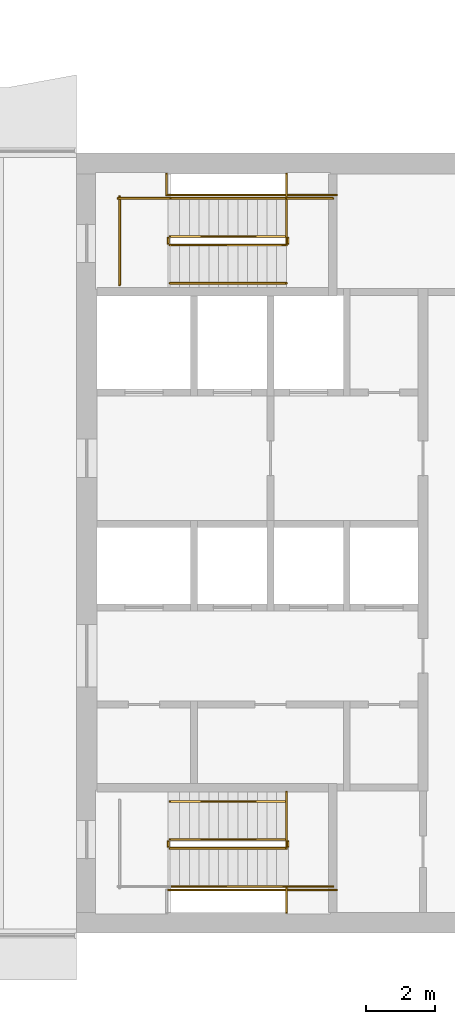
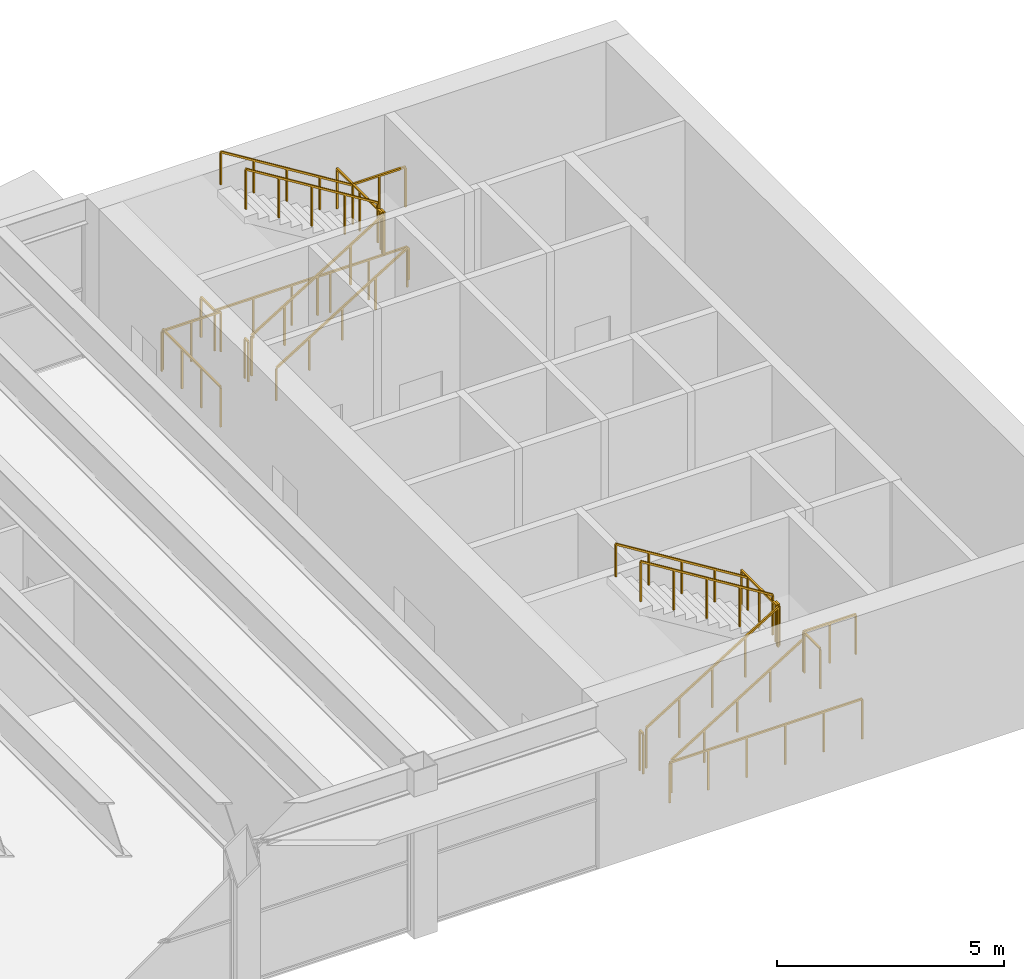
# One storey, part 15 of 15: 22 railings.
"""IFC4 building model written with IfcOpenShell, lengths in metres."""

from ifc_helpers import new_model, si_unit, direction, frame, origin, origin_2d, place, context, subcontext, project, spatial, rectangle, extrude, material, type_object, element, save


model = new_model("IFC4")

# Units and contexts
model_context = context("Model", 3, precision=1e-05, world=origin(), true_north=direction((0.0, 1.0)))
body_context = subcontext(model_context, "Body", "Model", "MODEL_VIEW")
ifc_project = project(units=[si_unit("LENGTHUNIT", "METRE"), si_unit("AREAUNIT", "SQUARE_METRE"), si_unit("VOLUMEUNIT", "CUBIC_METRE"), si_unit("PLANEANGLEUNIT", "RADIAN"), si_unit("MASSUNIT", "GRAM", prefix="KILO")], contexts=[model_context])

# Site, building, storey
site_placement = place(None, origin())
site = spatial("IfcSite", under=ifc_project, at=site_placement, CompositionType="ELEMENT")
building_placement = place(site_placement, origin())
building = spatial("IfcBuilding", under=site, at=building_placement, Name="Sennacour Bend Tower", CompositionType="ELEMENT")
storey_placement = place(building_placement, frame((0.0, 0.0, 318.5)))
storey = spatial("IfcBuildingStorey", under=building, at=storey_placement, Name="L73", CompositionType="ELEMENT", Elevation=318.5)

# Railings
ifc_material = material(Name="Stainless steel", Category="steel")
railing_type_1 = type_object("IfcRailingType", Name="RL-GUARD-1100", PredefinedType="GUARDRAIL", material=ifc_material)
railing_1_placement = place(storey_placement, frame((56.699951171875, 2.449951171875, 0.173095703125)))
element("IfcRailing", 1, at=railing_1_placement, inside=storey, type_object=railing_type_1, Name="L73 SA1 stair guard 1", PredefinedType="GUARDRAIL", context=body_context, shape_type="SweptSolid", body=[
    extrude(rectangle(XDim=0.048095703125, YDim=0.048095703125, at=origin_2d()), frame((0.0, 0.0, 1.076171875), z_axis=(0.850623216509, 0.0, 0.525775754039), x_axis=(0.0, 1.0, 0.0)), (0.0, 0.0, 1.0), 3.9501953125),
    extrude(rectangle(XDim=0.0419921875, YDim=0.0419921875, at=origin_2d()), origin(), (0.0, 0.0, 1.0), 1.052001953125),
    extrude(rectangle(XDim=0.0419921875, YDim=0.0419921875, at=origin_2d()), frame((0.840087890625, 0.0, 0.519287109375)), (0.0, 0.0, 1.0), 1.052001953125),
    extrude(rectangle(XDim=0.0419921875, YDim=0.0419921875, at=origin_2d()), frame((1.68017578125, 0.0, 1.03857421875)), (0.0, 0.0, 1.0), 1.052001953125),
    extrude(rectangle(XDim=0.0419921875, YDim=0.0419921875, at=origin_2d()), frame((2.52001953125, 0.0, 1.5576171875)), (0.0, 0.0, 1.0), 1.052001953125),
    extrude(rectangle(XDim=0.0419921875, YDim=0.0419921875, at=origin_2d()), frame((3.360107421875, 0.0, 2.076904296875)), (0.0, 0.0, 1.0), 1.052001953125),
])
railing_2_placement = place(storey_placement, frame((60.110107421875, 2.5, 2.25)))
element("IfcRailing", 2, at=railing_2_placement, inside=storey, type_object=railing_type_1, Name="L73 SA1 stair guard 2", PredefinedType="GUARDRAIL", context=body_context, shape_type="SweptSolid", body=[
    extrude(rectangle(XDim=0.048095703125, YDim=0.048095703125, at=origin_2d()), frame((0.0, 0.0, 1.076171875), z_axis=(0.0, 1.0, 0.0), x_axis=(-1.0, 0.0, 0.0)), (0.0, 0.0, 1.0), 0.14990234375),
    extrude(rectangle(XDim=0.0419921875, YDim=0.0419921875, at=origin_2d()), origin(), (0.0, 0.0, 1.0), 1.052001953125),
    extrude(rectangle(XDim=0.0419921875, YDim=0.0419921875, at=origin_2d()), frame((0.0, 0.14990234375, 0.0)), (0.0, 0.0, 1.0), 1.052001953125),
])
railing_3_placement = place(storey_placement, frame((60.06005859375, 1.35009765625, 2.25)))
element("IfcRailing", 3, at=railing_3_placement, inside=storey, type_object=railing_type_1, Name="L73 SA1 stair guard 3", PredefinedType="GUARDRAIL", context=body_context, shape_type="SweptSolid", body=[
    extrude(rectangle(XDim=0.048095703125, YDim=0.048095703125, at=origin_2d()), frame((0.0, 0.0, 1.076171875), z_axis=(1.0, 0.0, 0.0), x_axis=(0.0, 1.0, 0.0)), (0.0, 0.0, 1.0), 1.33984375),
    extrude(rectangle(XDim=0.0419921875, YDim=0.0419921875, at=origin_2d()), origin(), (0.0, 0.0, 1.0), 1.052001953125),
    extrude(rectangle(XDim=0.0419921875, YDim=0.0419921875, at=origin_2d()), frame((0.669921875, 0.0, 0.0)), (0.0, 0.0, 1.0), 1.052001953125),
    extrude(rectangle(XDim=0.0419921875, YDim=0.0419921875, at=origin_2d()), frame((1.33984375, 0.0, 0.0)), (0.0, 0.0, 1.0), 1.052001953125),
])
railing_4_placement = place(storey_placement, frame((60.06005859375, 2.699951171875, 2.423095703125)))
element("IfcRailing", 4, at=railing_4_placement, inside=storey, type_object=railing_type_1, Name="L73 SA1 stair guard 4", PredefinedType="GUARDRAIL", context=body_context, shape_type="SweptSolid", body=[
    extrude(rectangle(XDim=0.048095703125, YDim=0.048095703125, at=origin_2d()), frame((0.0, 0.0, 1.076171875), z_axis=(-0.850623216509, 0.0, 0.525775754039), x_axis=(0.0, -1.0, 0.0)), (0.0, 0.0, 1.0), 3.9501953125),
    extrude(rectangle(XDim=0.0419921875, YDim=0.0419921875, at=origin_2d()), origin(), (0.0, 0.0, 1.0), 1.052001953125),
    extrude(rectangle(XDim=0.0419921875, YDim=0.0419921875, at=origin_2d()), frame((-0.840087890625, 0.0, 0.519287109375)), (0.0, 0.0, 1.0), 1.052001953125),
    extrude(rectangle(XDim=0.0419921875, YDim=0.0419921875, at=origin_2d()), frame((-1.68017578125, 0.0, 1.03857421875)), (0.0, 0.0, 1.0), 1.052001953125),
    extrude(rectangle(XDim=0.0419921875, YDim=0.0419921875, at=origin_2d()), frame((-2.52001953125, 0.0, 1.5576171875)), (0.0, 0.0, 1.0), 1.052001953125),
    extrude(rectangle(XDim=0.0419921875, YDim=0.0419921875, at=origin_2d()), frame((-3.360107421875, 0.0, 2.076904296875)), (0.0, 0.0, 1.0), 1.052001953125),
])
railing_5_placement = place(storey_placement, frame((56.64990234375, 2.5, 0.0)))
element("IfcRailing", 5, at=railing_5_placement, inside=storey, type_object=railing_type_1, Name="L73 SA1 stair guard 5", PredefinedType="GUARDRAIL", context=body_context, shape_type="SweptSolid", body=[
    extrude(rectangle(XDim=0.048095703125, YDim=0.048095703125, at=origin_2d()), frame((0.0, 0.0, 1.076171875), z_axis=(0.0, 1.0, 0.0), x_axis=(-1.0, 0.0, 0.0)), (0.0, 0.0, 1.0), 0.14990234375),
    extrude(rectangle(XDim=0.0419921875, YDim=0.0419921875, at=origin_2d()), origin(), (0.0, 0.0, 1.0), 1.052001953125),
    extrude(rectangle(XDim=0.0419921875, YDim=0.0419921875, at=origin_2d()), frame((0.0, 0.14990234375, 0.0)), (0.0, 0.0, 1.0), 1.052001953125),
])
railing_6_placement = place(storey_placement, frame((56.60009765625, 1.25, 0.0)))
element("IfcRailing", 6, at=railing_6_placement, inside=storey, type_object=railing_type_1, Name="L73 SA1 stair guard 8", PredefinedType="GUARDRAIL", context=body_context, shape_type="SweptSolid", body=[
    extrude(rectangle(XDim=0.048095703125, YDim=0.048095703125, at=origin_2d()), frame((0.0, 0.0, 1.076171875), z_axis=(1.0, 0.0, 0.0), x_axis=(0.0, 1.0, 0.0)), (0.0, 0.0, 1.0), 4.89990234375),
    extrude(rectangle(XDim=0.0419921875, YDim=0.0419921875, at=origin_2d()), origin(), (0.0, 0.0, 1.0), 1.052001953125),
    extrude(rectangle(XDim=0.0419921875, YDim=0.0419921875, at=origin_2d()), frame((0.97998046875, 0.0, 0.0)), (0.0, 0.0, 1.0), 1.052001953125),
    extrude(rectangle(XDim=0.0419921875, YDim=0.0419921875, at=origin_2d()), frame((1.9599609375, 0.0, 0.0)), (0.0, 0.0, 1.0), 1.052001953125),
    extrude(rectangle(XDim=0.0419921875, YDim=0.0419921875, at=origin_2d()), frame((2.93994140625, 0.0, 0.0)), (0.0, 0.0, 1.0), 1.052001953125),
    extrude(rectangle(XDim=0.0419921875, YDim=0.0419921875, at=origin_2d()), frame((3.919921875, 0.0, 0.0)), (0.0, 0.0, 1.0), 1.052001953125),
    extrude(rectangle(XDim=0.0419921875, YDim=0.0419921875, at=origin_2d()), frame((4.89990234375, 0.0, 0.0)), (0.0, 0.0, 1.0), 1.052001953125),
])
railing_7_placement = place(storey_placement, frame((60.06005859375, 0.60009765625, 2.25)))
element("IfcRailing", 7, at=railing_7_placement, inside=storey, type_object=railing_type_1, Name="L73 SA1 landing edge guard 119", PredefinedType="GUARDRAIL", context=body_context, shape_type="SweptSolid", body=[
    extrude(rectangle(XDim=0.048095703125, YDim=0.048095703125, at=origin_2d()), frame((0.0, 0.0, 1.076171875), z_axis=(0.0, 1.0, 0.0), x_axis=(-1.0, 0.0, 0.0)), (0.0, 0.0, 1.0), 0.699951171875),
    extrude(rectangle(XDim=0.0419921875, YDim=0.0419921875, at=origin_2d()), origin(), (0.0, 0.0, 1.0), 1.052001953125),
    extrude(rectangle(XDim=0.0419921875, YDim=0.0419921875, at=origin_2d()), frame((0.0, 0.699951171875, 0.0)), (0.0, 0.0, 1.0), 1.052001953125),
])
railing_8_placement = place(storey_placement, frame((60.06005859375, 2.5, 2.25)))
element("IfcRailing", 8, at=railing_8_placement, inside=storey, type_object=railing_type_1, Name="L73 SA1 landing edge guard 120", PredefinedType="GUARDRAIL", context=body_context, shape_type="SweptSolid", body=[
    extrude(rectangle(XDim=0.048095703125, YDim=0.048095703125, at=origin_2d()), frame((0.0, 0.0, 1.076171875), z_axis=(0.0, 1.0, 0.0), x_axis=(-1.0, 0.0, 0.0)), (0.0, 0.0, 1.0), 1.574951171875),
    extrude(rectangle(XDim=0.0419921875, YDim=0.0419921875, at=origin_2d()), origin(), (0.0, 0.0, 1.0), 1.052001953125),
    extrude(rectangle(XDim=0.0419921875, YDim=0.0419921875, at=origin_2d()), frame((0.0, 0.78759765625, 0.0)), (0.0, 0.0, 1.0), 1.052001953125),
    extrude(rectangle(XDim=0.0419921875, YDim=0.0419921875, at=origin_2d()), frame((0.0, 1.574951171875, 0.0)), (0.0, 0.0, 1.0), 1.052001953125),
])
railing_9_placement = place(storey_placement, frame((56.699951171875, 19.85009765625, 0.173095703125)))
element("IfcRailing", 9, at=railing_9_placement, inside=storey, type_object=railing_type_1, Name="L73 SA2 stair guard 1", PredefinedType="GUARDRAIL", context=body_context, shape_type="SweptSolid", body=[
    extrude(rectangle(XDim=0.048095703125, YDim=0.048095703125, at=origin_2d()), frame((0.0, 0.0, 1.076171875), z_axis=(0.850623216509, 0.0, 0.525775754039), x_axis=(0.0, 1.0, 0.0)), (0.0, 0.0, 1.0), 3.9501953125),
    extrude(rectangle(XDim=0.0419921875, YDim=0.0419921875, at=origin_2d()), origin(), (0.0, 0.0, 1.0), 1.052001953125),
    extrude(rectangle(XDim=0.0419921875, YDim=0.0419921875, at=origin_2d()), frame((0.840087890625, 0.0, 0.519287109375)), (0.0, 0.0, 1.0), 1.052001953125),
    extrude(rectangle(XDim=0.0419921875, YDim=0.0419921875, at=origin_2d()), frame((1.68017578125, 0.0, 1.03857421875)), (0.0, 0.0, 1.0), 1.052001953125),
    extrude(rectangle(XDim=0.0419921875, YDim=0.0419921875, at=origin_2d()), frame((2.52001953125, 0.0, 1.5576171875)), (0.0, 0.0, 1.0), 1.052001953125),
    extrude(rectangle(XDim=0.0419921875, YDim=0.0419921875, at=origin_2d()), frame((3.360107421875, 0.0, 2.076904296875)), (0.0, 0.0, 1.0), 1.052001953125),
])
railing_10_placement = place(storey_placement, frame((60.110107421875, 19.89990234375, 2.25)))
element("IfcRailing", 10, at=railing_10_placement, inside=storey, type_object=railing_type_1, Name="L73 SA2 stair guard 2", PredefinedType="GUARDRAIL", context=body_context, shape_type="SweptSolid", body=[
    extrude(rectangle(XDim=0.048095703125, YDim=0.048095703125, at=origin_2d()), frame((0.0, 0.0, 1.076171875), z_axis=(0.0, 1.0, 0.0), x_axis=(-1.0, 0.0, 0.0)), (0.0, 0.0, 1.0), 0.150146484375),
    extrude(rectangle(XDim=0.0419921875, YDim=0.0419921875, at=origin_2d()), origin(), (0.0, 0.0, 1.0), 1.052001953125),
    extrude(rectangle(XDim=0.0419921875, YDim=0.0419921875, at=origin_2d()), frame((0.0, 0.150146484375, 0.0)), (0.0, 0.0, 1.0), 1.052001953125),
])
railing_11_placement = place(storey_placement, frame((60.06005859375, 21.199951171875, 2.25)))
element("IfcRailing", 11, at=railing_11_placement, inside=storey, type_object=railing_type_1, Name="L73 SA2 stair guard 3", PredefinedType="GUARDRAIL", context=body_context, shape_type="SweptSolid", body=[
    extrude(rectangle(XDim=0.048095703125, YDim=0.048095703125, at=origin_2d()), frame((0.0, 0.0, 1.076171875), z_axis=(1.0, 0.0, 0.0), x_axis=(0.0, 1.0, 0.0)), (0.0, 0.0, 1.0), 1.33984375),
    extrude(rectangle(XDim=0.0419921875, YDim=0.0419921875, at=origin_2d()), origin(), (0.0, 0.0, 1.0), 1.052001953125),
    extrude(rectangle(XDim=0.0419921875, YDim=0.0419921875, at=origin_2d()), frame((0.669921875, 0.0, 0.0)), (0.0, 0.0, 1.0), 1.052001953125),
    extrude(rectangle(XDim=0.0419921875, YDim=0.0419921875, at=origin_2d()), frame((1.33984375, 0.0, 0.0)), (0.0, 0.0, 1.0), 1.052001953125),
])
railing_12_placement = place(storey_placement, frame((60.06005859375, 20.10009765625, 2.423095703125)))
element("IfcRailing", 12, at=railing_12_placement, inside=storey, type_object=railing_type_1, Name="L73 SA2 stair guard 4", PredefinedType="GUARDRAIL", context=body_context, shape_type="SweptSolid", body=[
    extrude(rectangle(XDim=0.048095703125, YDim=0.048095703125, at=origin_2d()), frame((0.0, 0.0, 1.076171875), z_axis=(-0.850623216509, 0.0, 0.525775754039), x_axis=(0.0, -1.0, 0.0)), (0.0, 0.0, 1.0), 3.9501953125),
    extrude(rectangle(XDim=0.0419921875, YDim=0.0419921875, at=origin_2d()), origin(), (0.0, 0.0, 1.0), 1.052001953125),
    extrude(rectangle(XDim=0.0419921875, YDim=0.0419921875, at=origin_2d()), frame((-0.840087890625, 0.0, 0.519287109375)), (0.0, 0.0, 1.0), 1.052001953125),
    extrude(rectangle(XDim=0.0419921875, YDim=0.0419921875, at=origin_2d()), frame((-1.68017578125, 0.0, 1.03857421875)), (0.0, 0.0, 1.0), 1.052001953125),
    extrude(rectangle(XDim=0.0419921875, YDim=0.0419921875, at=origin_2d()), frame((-2.52001953125, 0.0, 1.5576171875)), (0.0, 0.0, 1.0), 1.052001953125),
    extrude(rectangle(XDim=0.0419921875, YDim=0.0419921875, at=origin_2d()), frame((-3.360107421875, 0.0, 2.076904296875)), (0.0, 0.0, 1.0), 1.052001953125),
])
railing_13_placement = place(storey_placement, frame((56.64990234375, 19.89990234375, 0.0)))
element("IfcRailing", 13, at=railing_13_placement, inside=storey, type_object=railing_type_1, Name="L73 SA2 stair guard 5", PredefinedType="GUARDRAIL", context=body_context, shape_type="SweptSolid", body=[
    extrude(rectangle(XDim=0.048095703125, YDim=0.048095703125, at=origin_2d()), frame((0.0, 0.0, 1.076171875), z_axis=(0.0, 1.0, 0.0), x_axis=(-1.0, 0.0, 0.0)), (0.0, 0.0, 1.0), 0.150146484375),
    extrude(rectangle(XDim=0.0419921875, YDim=0.0419921875, at=origin_2d()), origin(), (0.0, 0.0, 1.0), 1.052001953125),
    extrude(rectangle(XDim=0.0419921875, YDim=0.0419921875, at=origin_2d()), frame((0.0, 0.150146484375, 0.0)), (0.0, 0.0, 1.0), 1.052001953125),
])
railing_14_placement = place(storey_placement, frame((55.199951171875, 21.199951171875, 0.0)))
element("IfcRailing", 14, at=railing_14_placement, inside=storey, type_object=railing_type_1, Name="L73 SA2 stair guard 6", PredefinedType="GUARDRAIL", context=body_context, shape_type="SweptSolid", body=[
    extrude(rectangle(XDim=0.048095703125, YDim=0.048095703125, at=origin_2d()), frame((0.0, 0.0, 1.076171875), z_axis=(1.0, 0.0, 0.0), x_axis=(0.0, 1.0, 0.0)), (0.0, 0.0, 1.0), 1.5),
    extrude(rectangle(XDim=0.0419921875, YDim=0.0419921875, at=origin_2d()), origin(), (0.0, 0.0, 1.0), 1.052001953125),
    extrude(rectangle(XDim=0.0419921875, YDim=0.0419921875, at=origin_2d()), frame((0.75, 0.0, 0.0)), (0.0, 0.0, 1.0), 1.052001953125),
    extrude(rectangle(XDim=0.0419921875, YDim=0.0419921875, at=origin_2d()), frame((1.5, 0.0, 0.0)), (0.0, 0.0, 1.0), 1.052001953125),
])
railing_15_placement = place(storey_placement, frame((55.25, 18.699951171875, 0.0)))
element("IfcRailing", 15, at=railing_15_placement, inside=storey, type_object=railing_type_1, Name="L73 SA2 stair guard 7", PredefinedType="GUARDRAIL", context=body_context, shape_type="SweptSolid", body=[
    extrude(rectangle(XDim=0.048095703125, YDim=0.048095703125, at=origin_2d()), frame((0.0, 0.0, 1.076171875), z_axis=(0.0, 1.0, 0.0), x_axis=(-1.0, 0.0, 0.0)), (0.0, 0.0, 1.0), 2.550048828125),
    extrude(rectangle(XDim=0.0419921875, YDim=0.0419921875, at=origin_2d()), origin(), (0.0, 0.0, 1.0), 1.052001953125),
    extrude(rectangle(XDim=0.0419921875, YDim=0.0419921875, at=origin_2d()), frame((0.0, 0.85009765625, 0.0)), (0.0, 0.0, 1.0), 1.052001953125),
    extrude(rectangle(XDim=0.0419921875, YDim=0.0419921875, at=origin_2d()), frame((0.0, 1.699951171875, 0.0)), (0.0, 0.0, 1.0), 1.052001953125),
    extrude(rectangle(XDim=0.0419921875, YDim=0.0419921875, at=origin_2d()), frame((0.0, 2.550048828125, 0.0)), (0.0, 0.0, 1.0), 1.052001953125),
])
railing_16_placement = place(storey_placement, frame((56.60009765625, 21.300048828125, 0.0)))
element("IfcRailing", 16, at=railing_16_placement, inside=storey, type_object=railing_type_1, Name="L73 SA2 stair guard 8", PredefinedType="GUARDRAIL", context=body_context, shape_type="SweptSolid", body=[
    extrude(rectangle(XDim=0.048095703125, YDim=0.048095703125, at=origin_2d()), frame((0.0, 0.0, 1.076171875), z_axis=(1.0, 0.0, 0.0), x_axis=(0.0, 1.0, 0.0)), (0.0, 0.0, 1.0), 4.89990234375),
    extrude(rectangle(XDim=0.0419921875, YDim=0.0419921875, at=origin_2d()), origin(), (0.0, 0.0, 1.0), 1.052001953125),
    extrude(rectangle(XDim=0.0419921875, YDim=0.0419921875, at=origin_2d()), frame((0.97998046875, 0.0, 0.0)), (0.0, 0.0, 1.0), 1.052001953125),
    extrude(rectangle(XDim=0.0419921875, YDim=0.0419921875, at=origin_2d()), frame((1.9599609375, 0.0, 0.0)), (0.0, 0.0, 1.0), 1.052001953125),
    extrude(rectangle(XDim=0.0419921875, YDim=0.0419921875, at=origin_2d()), frame((2.93994140625, 0.0, 0.0)), (0.0, 0.0, 1.0), 1.052001953125),
    extrude(rectangle(XDim=0.0419921875, YDim=0.0419921875, at=origin_2d()), frame((3.919921875, 0.0, 0.0)), (0.0, 0.0, 1.0), 1.052001953125),
    extrude(rectangle(XDim=0.0419921875, YDim=0.0419921875, at=origin_2d()), frame((4.89990234375, 0.0, 0.0)), (0.0, 0.0, 1.0), 1.052001953125),
])
railing_17_placement = place(storey_placement, frame((60.06005859375, 19.89990234375, 2.25)))
element("IfcRailing", 17, at=railing_17_placement, inside=storey, type_object=railing_type_1, Name="L73 SA2 landing edge guard 96", PredefinedType="GUARDRAIL", context=body_context, shape_type="SweptSolid", body=[
    extrude(rectangle(XDim=0.048095703125, YDim=0.048095703125, at=origin_2d()), frame((0.0, 0.0, 1.076171875), z_axis=(0.0, 1.0, 0.0), x_axis=(-1.0, 0.0, 0.0)), (0.0, 0.0, 1.0), 2.0),
    extrude(rectangle(XDim=0.0419921875, YDim=0.0419921875, at=origin_2d()), origin(), (0.0, 0.0, 1.0), 1.052001953125),
    extrude(rectangle(XDim=0.0419921875, YDim=0.0419921875, at=origin_2d()), frame((0.0, 1.0, 0.0)), (0.0, 0.0, 1.0), 1.052001953125),
    extrude(rectangle(XDim=0.0419921875, YDim=0.0419921875, at=origin_2d()), frame((0.0, 2.0, 0.0)), (0.0, 0.0, 1.0), 1.052001953125),
])
railing_18_placement = place(storey_placement, frame((56.60009765625, 21.300048828125, 0.0)))
element("IfcRailing", 18, at=railing_18_placement, inside=storey, type_object=railing_type_1, Name="L73 SA2 landing edge guard 127", PredefinedType="GUARDRAIL", context=body_context, shape_type="SweptSolid", body=[
    extrude(rectangle(XDim=0.048095703125, YDim=0.048095703125, at=origin_2d()), frame((0.0, 0.0, 1.076171875), z_axis=(0.0, 1.0, 0.0), x_axis=(-1.0, 0.0, 0.0)), (0.0, 0.0, 1.0), 0.599853515625),
    extrude(rectangle(XDim=0.0419921875, YDim=0.0419921875, at=origin_2d()), origin(), (0.0, 0.0, 1.0), 1.052001953125),
    extrude(rectangle(XDim=0.0419921875, YDim=0.0419921875, at=origin_2d()), frame((0.0, 0.599853515625, 0.0)), (0.0, 0.0, 1.0), 1.052001953125),
])
railing_type_2 = type_object("IfcRailingType", Name="RL-HANDRAIL-900", PredefinedType="HANDRAIL", material=ifc_material)
railing_19_placement = place(storey_placement, frame((56.699951171875, 1.35009765625, 0.173095703125)))
element("IfcRailing", 19, at=railing_19_placement, inside=storey, type_object=railing_type_2, Name="L73 SA1 stair handrail 1", PredefinedType="HANDRAIL", context=body_context, shape_type="SweptSolid", body=[
    extrude(rectangle(XDim=0.048095703125, YDim=0.048095703125, at=origin_2d()), frame((0.0, 0.0, 0.8759765625), z_axis=(0.850623216509, 0.0, 0.525775754039), x_axis=(0.0, 1.0, 0.0)), (0.0, 0.0, 1.0), 3.9501953125),
    extrude(rectangle(XDim=0.0419921875, YDim=0.0419921875, at=origin_2d()), origin(), (0.0, 0.0, 1.0), 0.851806640625),
    extrude(rectangle(XDim=0.0419921875, YDim=0.0419921875, at=origin_2d()), frame((0.840087890625, 0.0, 0.519287109375)), (0.0, 0.0, 1.0), 0.851806640625),
    extrude(rectangle(XDim=0.0419921875, YDim=0.0419921875, at=origin_2d()), frame((1.68017578125, 0.0, 1.03857421875)), (0.0, 0.0, 1.0), 0.851806640625),
    extrude(rectangle(XDim=0.0419921875, YDim=0.0419921875, at=origin_2d()), frame((2.52001953125, 0.0, 1.5576171875)), (0.0, 0.0, 1.0), 0.851806640625),
    extrude(rectangle(XDim=0.0419921875, YDim=0.0419921875, at=origin_2d()), frame((3.360107421875, 0.0, 2.076904296875)), (0.0, 0.0, 1.0), 0.851806640625),
])
railing_20_placement = place(storey_placement, frame((60.06005859375, 3.800048828125, 2.423095703125)))
element("IfcRailing", 20, at=railing_20_placement, inside=storey, type_object=railing_type_2, Name="L73 SA1 stair handrail 2", PredefinedType="HANDRAIL", context=body_context, shape_type="SweptSolid", body=[
    extrude(rectangle(XDim=0.048095703125, YDim=0.048095703125, at=origin_2d()), frame((0.0, 0.0, 0.8759765625), z_axis=(-0.850623216509, 0.0, 0.525775754039), x_axis=(0.0, -1.0, 0.0)), (0.0, 0.0, 1.0), 3.9501953125),
    extrude(rectangle(XDim=0.0419921875, YDim=0.0419921875, at=origin_2d()), origin(), (0.0, 0.0, 1.0), 0.851806640625),
    extrude(rectangle(XDim=0.0419921875, YDim=0.0419921875, at=origin_2d()), frame((-0.840087890625, 0.0, 0.519287109375)), (0.0, 0.0, 1.0), 0.851806640625),
    extrude(rectangle(XDim=0.0419921875, YDim=0.0419921875, at=origin_2d()), frame((-1.68017578125, 0.0, 1.03857421875)), (0.0, 0.0, 1.0), 0.851806640625),
    extrude(rectangle(XDim=0.0419921875, YDim=0.0419921875, at=origin_2d()), frame((-2.52001953125, 0.0, 1.5576171875)), (0.0, 0.0, 1.0), 0.851806640625),
    extrude(rectangle(XDim=0.0419921875, YDim=0.0419921875, at=origin_2d()), frame((-3.360107421875, 0.0, 2.076904296875)), (0.0, 0.0, 1.0), 0.851806640625),
])
railing_21_placement = place(storey_placement, frame((56.699951171875, 18.75, 0.173095703125)))
element("IfcRailing", 21, at=railing_21_placement, inside=storey, type_object=railing_type_2, Name="L73 SA2 stair handrail 1", PredefinedType="HANDRAIL", context=body_context, shape_type="SweptSolid", body=[
    extrude(rectangle(XDim=0.048095703125, YDim=0.048095703125, at=origin_2d()), frame((0.0, 0.0, 0.8759765625), z_axis=(0.850623216509, 0.0, 0.525775754039), x_axis=(0.0, 1.0, 0.0)), (0.0, 0.0, 1.0), 3.9501953125),
    extrude(rectangle(XDim=0.0419921875, YDim=0.0419921875, at=origin_2d()), origin(), (0.0, 0.0, 1.0), 0.851806640625),
    extrude(rectangle(XDim=0.0419921875, YDim=0.0419921875, at=origin_2d()), frame((0.840087890625, 0.0, 0.519287109375)), (0.0, 0.0, 1.0), 0.851806640625),
    extrude(rectangle(XDim=0.0419921875, YDim=0.0419921875, at=origin_2d()), frame((1.68017578125, 0.0, 1.03857421875)), (0.0, 0.0, 1.0), 0.851806640625),
    extrude(rectangle(XDim=0.0419921875, YDim=0.0419921875, at=origin_2d()), frame((2.52001953125, 0.0, 1.5576171875)), (0.0, 0.0, 1.0), 0.851806640625),
    extrude(rectangle(XDim=0.0419921875, YDim=0.0419921875, at=origin_2d()), frame((3.360107421875, 0.0, 2.076904296875)), (0.0, 0.0, 1.0), 0.851806640625),
])
railing_22_placement = place(storey_placement, frame((60.06005859375, 21.199951171875, 2.423095703125)))
element("IfcRailing", 22, at=railing_22_placement, inside=storey, type_object=railing_type_2, Name="L73 SA2 stair handrail 2", PredefinedType="HANDRAIL", context=body_context, shape_type="SweptSolid", body=[
    extrude(rectangle(XDim=0.048095703125, YDim=0.048095703125, at=origin_2d()), frame((0.0, 0.0, 0.8759765625), z_axis=(-0.850623216509, 0.0, 0.525775754039), x_axis=(0.0, -1.0, 0.0)), (0.0, 0.0, 1.0), 3.9501953125),
    extrude(rectangle(XDim=0.0419921875, YDim=0.0419921875, at=origin_2d()), origin(), (0.0, 0.0, 1.0), 0.851806640625),
    extrude(rectangle(XDim=0.0419921875, YDim=0.0419921875, at=origin_2d()), frame((-0.840087890625, 0.0, 0.519287109375)), (0.0, 0.0, 1.0), 0.851806640625),
    extrude(rectangle(XDim=0.0419921875, YDim=0.0419921875, at=origin_2d()), frame((-1.68017578125, 0.0, 1.03857421875)), (0.0, 0.0, 1.0), 0.851806640625),
    extrude(rectangle(XDim=0.0419921875, YDim=0.0419921875, at=origin_2d()), frame((-2.52001953125, 0.0, 1.5576171875)), (0.0, 0.0, 1.0), 0.851806640625),
    extrude(rectangle(XDim=0.0419921875, YDim=0.0419921875, at=origin_2d()), frame((-3.360107421875, 0.0, 2.076904296875)), (0.0, 0.0, 1.0), 0.851806640625),
])

save(model, "model.ifc")
